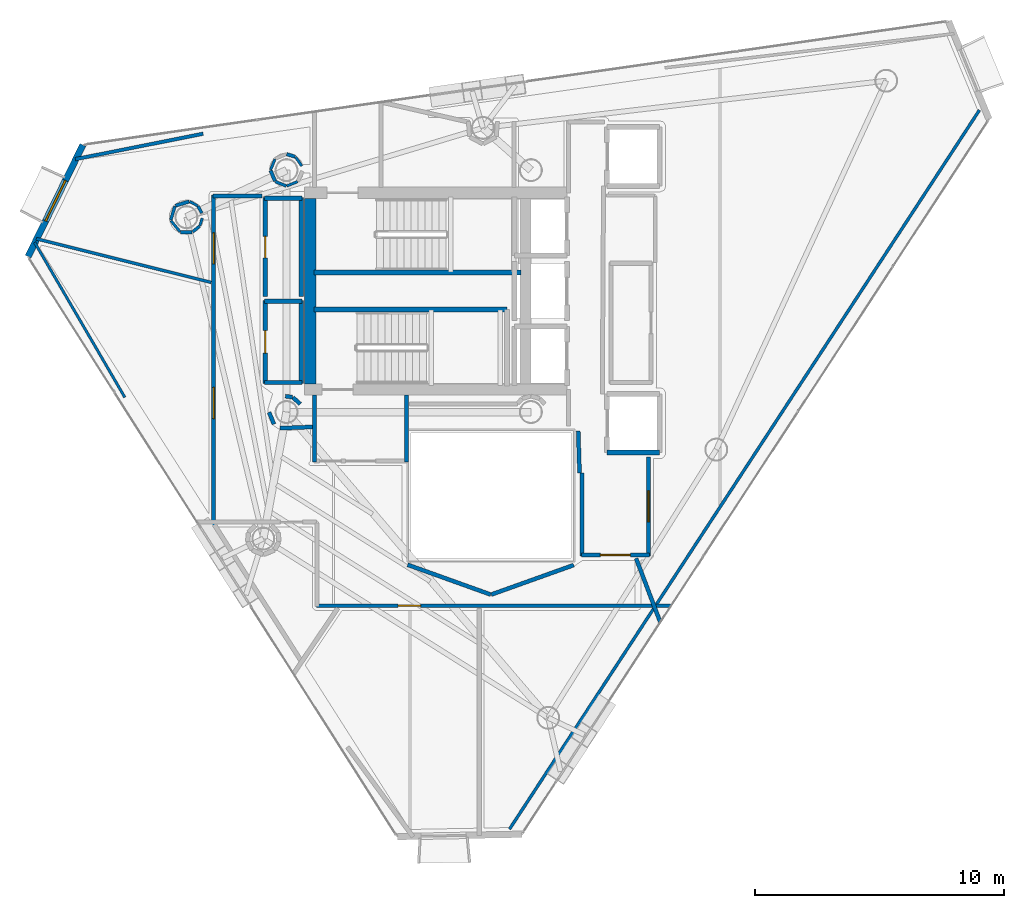
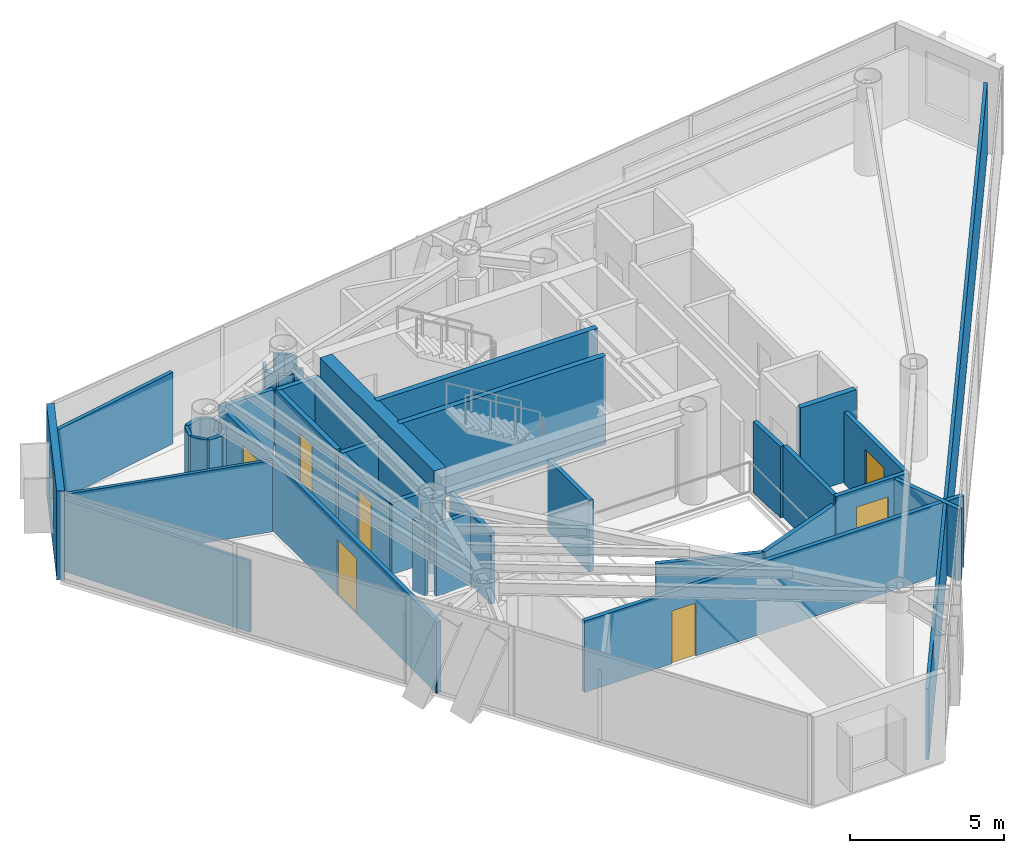
# One storey, part 20 of 25: 46 walls, 7 doors, 1 window, 8 openings.
"""IFC4 building model written with IfcOpenShell, lengths in metres."""

from ifc_helpers import new_model, si_unit, direction, frame, frame_2d, origin, place, context, subcontext, project, spatial, rectangle, extrude, material, layer, layer_set, type_object, element, fill, save


model = new_model("IFC4")

# Units and contexts
model_context = context("Model", 3, precision=1e-05, world=origin(), true_north=direction((0.0, 1.0)))
body_context = subcontext(model_context, "Body", "Model", "MODEL_VIEW")
ifc_project = project(units=[si_unit("LENGTHUNIT", "METRE"), si_unit("AREAUNIT", "SQUARE_METRE"), si_unit("VOLUMEUNIT", "CUBIC_METRE"), si_unit("PLANEANGLEUNIT", "RADIAN"), si_unit("MASSUNIT", "GRAM", prefix="KILO")], contexts=[model_context])

# Site, building, storey
site_placement = place(None, origin())
site = spatial("IfcSite", under=ifc_project, at=site_placement, CompositionType="ELEMENT")
building_placement = place(site_placement, origin())
building = spatial("IfcBuilding", under=site, at=building_placement, Name="Qianvela Tower", CompositionType="ELEMENT")
storey_placement = place(building_placement, frame((0.0, 0.0, 291.699951171875)))
storey = spatial("IfcBuildingStorey", under=building, at=storey_placement, Name="L75", CompositionType="ELEMENT", Elevation=291.699951171875)

# Wall, opening, window
ifc_material_1 = material(Name="Terracotta Cladding on Concrete C40", Category="masonry")
ifc_layer_1 = layer(ifc_material_1, 0.260009765625)
ifc_layer_set_1 = layer_set([ifc_layer_1], Name="Terracotta Cladding on Concrete C40")
wall_type_1 = type_object("IfcWallType", Name="TERRACOTTA-WALL-260", PredefinedType="SOLIDWALL", material=ifc_layer_set_1)
wall_1_placement = place(storey_placement, frame((20.436279296875, 34.563232421875, 0.0), z_axis=(0.0, 0.0, 1.0), x_axis=(-0.440488239438, -0.897758381145, 0.0)))
wall_1 = element("IfcWall", 1, at=wall_1_placement, inside=storey, type_object=wall_type_1, Name="L75 Terracotta Chamfer Facet Wall 3", PredefinedType="SOLIDWALL", context=body_context, shape_type="SweptSolid", body=[
    extrude(rectangle(XDim=4.989990234375, YDim=0.260009765625, at=frame_2d((2.4951171875, 0.0))), origin(), (0.0, 0.0, 1.0), 3.52001953125),
])
opening_1_placement = place(wall_1_placement, frame((1.594970703125, 0.0, 0.85009765625)))
opening_1 = element("IfcOpeningElement", 2, at=opening_1_placement, cuts=wall_1, Name="Opening W-01", PredefinedType="OPENING", context=body_context, shape_type="SweptSolid", body=[
    extrude(rectangle(XDim=1.800048828125, YDim=2.10009765625, at=frame_2d((0.89990234375, 1.050048828125))), frame((0.0, 0.139892578125, 0.0), z_axis=(0.0, -1.0, 0.0), x_axis=(1.0, 0.0, 0.0)), (0.0, 0.0, 1.0), 0.280029296875),
])
ifc_material_2 = material(Name="Thermally Broken Aluminium and Low-E Glass", Category="aluminium")
window_type = type_object("IfcWindowType", Name="WIN-TC-1800x2100", PartitioningType="DOUBLE_PANEL_VERTICAL", PredefinedType="WINDOW", material=ifc_material_2)
window_placement = place(opening_1_placement, origin())
window = element("IfcWindow", 3, at=window_placement, inside=storey, type_object=window_type, Name="L75 Chamfer Facet Window 3.1", OverallHeight=2.10009765625, OverallWidth=1.800048828125, PartitioningType="SINGLE_PANEL", PredefinedType="WINDOW", context=body_context, shape_type="SweptSolid", body=[
    extrude(rectangle(XDim=1.800048828125, YDim=2.10009765625, at=frame_2d((0.89990234375, 1.050048828125))), frame((0.0, 0.030029296875, 0.0), z_axis=(0.0, -1.0, 0.0), x_axis=(1.0, 0.0, 0.0)), (0.0, 0.0, 1.0), 0.06005859375),
])
fill(opening_1, window)

# Walls
ifc_material_3 = material(Name="Concrete C50", Category="concrete")
ifc_layer_2 = layer(ifc_material_3, 0.449951171875)
ifc_layer_set_2 = layer_set([ifc_layer_2], Name="Concrete C50")
wall_type_2 = type_object("IfcWallType", Name="WT-CORE-450", PredefinedType="SHEAR", material=ifc_layer_set_2)
wall_2_placement = place(storey_placement, frame((29.554931640625, 24.97998046875, 0.0), z_axis=(0.0, 0.0, 1.0), x_axis=(0.0, 1.0, 0.0)))
element("IfcWall", 4, at=wall_2_placement, inside=storey, type_object=wall_type_2, Name="L75 West Core Shear Wall", PredefinedType="SHEAR", context=body_context, shape_type="SweptSolid", body=[
    extrude(rectangle(XDim=7.43994140625, YDim=0.449951171875, at=frame_2d((3.719970703125, 0.0))), origin(), (0.0, 0.0, 1.0), 3.52001953125),
])
ifc_material_4 = material(Name="Fire-Rated Gypsum and Concrete Block", Category="concrete")
ifc_layer_3 = layer(ifc_material_4, 0.159912109375)
ifc_layer_set_3 = layer_set([ifc_layer_3], Name="Fire-Rated Gypsum and Concrete Block")
wall_type_3 = type_object("IfcWallType", Name="WT-CORR-160", PredefinedType="PARTITIONING", material=ifc_layer_set_3)
for number, where, z_axis, x_axis, name in (
    (5, (29.73095703125, 21.85009765625, 0.0), (0.0, 0.0, 1.0), (0.0, 1.0, 0.0), "L75 Partition 6"),
    (6, (33.4189453125, 24.5419921875, 0.0), (0.0, 0.0, 1.0), (0.0, -1.0, 0.0), "L75 Partition 8"),
):
    element("IfcWall", number, at=place(storey_placement, frame(where, z_axis=z_axis, x_axis=x_axis)), inside=storey, type_object=wall_type_3, Name=name, PredefinedType="PARTITIONING", context=body_context, shape_type="SweptSolid", body=[
        extrude(rectangle(XDim=2.69189453125, YDim=0.159912109375, at=frame_2d((1.345947265625, 0.0))), origin(), (0.0, 0.0, 1.0), 2.840087890625),
    ])
wall_3_placement = place(storey_placement, frame((40.35107421875, 21.40087890625, 0.0), z_axis=(0.0, 0.0, 1.0), x_axis=(-0.031058045979, 0.999517582527, 0.0)))
element("IfcWall", 7, at=wall_3_placement, inside=storey, type_object=wall_type_3, Name="L75 Partition 9", PredefinedType="PARTITIONING", context=body_context, shape_type="SweptSolid", body=[
    extrude(rectangle(XDim=1.68212890625, YDim=0.159912109375, at=frame_2d((0.841064453125, 0.0))), origin(), (0.0, 0.0, 1.0), 2.840087890625),
])

# Wall, opening, door
wall_4_placement = place(storey_placement, frame((43.118896484375, 22.050048828125, 0.0), z_axis=(0.0, 0.0, 1.0), x_axis=(0.0, -1.0, 0.0)))
wall_4 = element("IfcWall", 8, at=wall_4_placement, inside=storey, type_object=wall_type_3, Name="L75 Partition 16", PredefinedType="PARTITIONING", context=body_context, shape_type="SweptSolid", body=[
    extrude(rectangle(XDim=3.969970703125, YDim=0.159912109375, at=frame_2d((1.98486328125, 0.0))), origin(), (0.0, 0.0, 1.0), 2.840087890625),
])
opening_2_placement = place(wall_4_placement, frame((1.360107421875, 0.0, 0.0)))
opening_2 = element("IfcOpeningElement", 9, at=opening_2_placement, cuts=wall_4, Name="Opening D-LG1", PredefinedType="OPENING", context=body_context, shape_type="SweptSolid", body=[
    extrude(rectangle(XDim=1.25, YDim=2.199951171875, at=frame_2d((0.625, 1.10009765625))), frame((0.0, 0.08984375, 0.0), z_axis=(0.0, -1.0, 0.0), x_axis=(1.0, 0.0, 0.0)), (0.0, 0.0, 1.0), 0.179931640625),
])
ifc_material_5 = material(Name="Anodised Aluminium Acoustic Glass Door", Category="aluminium")
door_type_1 = type_object("IfcDoorType", Name="DT-LOUNGE-1250", OperationType="NOTDEFINED", PredefinedType="DOOR", material=ifc_material_5)
door_1_placement = place(opening_2_placement, origin())
door_1 = element("IfcDoor", 10, at=door_1_placement, inside=storey, type_object=door_type_1, Name="L75 Door Campus Convenience Shop L75-03 to L75 Lift Lobby", OperationType="SINGLE_SWING_LEFT", OverallHeight=2.199951171875, OverallWidth=1.25, PredefinedType="DOOR", context=body_context, shape_type="SweptSolid", body=[
    extrude(rectangle(XDim=1.25, YDim=2.199951171875, at=frame_2d((0.625, 1.10009765625))), frame((0.0, 0.02490234375, 0.0), z_axis=(0.0, -1.0, 0.0), x_axis=(1.0, 0.0, 0.0)), (0.0, 0.0, 1.0), 0.050048828125),
])
fill(opening_2, door_1)

wall_5_placement = place(storey_placement, frame((43.14990234375, 18.111083984375, 0.0), z_axis=(0.0, 0.0, 1.0), x_axis=(-1.0, 0.0, 0.0)))
wall_5 = element("IfcWall", 11, at=wall_5_placement, inside=storey, type_object=wall_type_3, Name="L75 Partition 17", PredefinedType="PARTITIONING", context=body_context, shape_type="SweptSolid", body=[
    extrude(rectangle(XDim=2.72998046875, YDim=0.159912109375, at=frame_2d((1.364990234375, 0.0))), origin(), (0.0, 0.0, 1.0), 2.840087890625),
])
opening_3_placement = place(wall_5_placement, frame((0.764892578125, 0.0, 0.0)))
opening_3 = element("IfcOpeningElement", 12, at=opening_3_placement, cuts=wall_5, Name="Opening D-LB1", PredefinedType="OPENING", context=body_context, shape_type="SweptSolid", body=[
    extrude(rectangle(XDim=1.199951171875, YDim=2.14990234375, at=frame_2d((0.60009765625, 1.074951171875))), frame((0.0, 0.08984375, 0.0), z_axis=(0.0, -1.0, 0.0), x_axis=(1.0, 0.0, 0.0)), (0.0, 0.0, 1.0), 0.179931640625),
])
ifc_material_6 = material(Name="Glazed Fire-Rated Steel Frame", Category="steel")
door_type_2 = type_object("IfcDoorType", Name="DT-LOBBY-FD90", OperationType="NOTDEFINED", PredefinedType="DOOR", material=ifc_material_6)
door_2_placement = place(opening_3_placement, origin())
door_2 = element("IfcDoor", 13, at=door_2_placement, inside=storey, type_object=door_type_2, Name="L75 Door L75 Lift Lobby to L75 Floor Corridor", OperationType="SINGLE_SWING_LEFT", OverallHeight=2.14990234375, OverallWidth=1.199951171875, PredefinedType="DOOR", context=body_context, shape_type="SweptSolid", body=[
    extrude(rectangle(XDim=1.199951171875, YDim=2.14990234375, at=frame_2d((0.60009765625, 1.074951171875))), frame((0.0, 0.02490234375, 0.0), z_axis=(0.0, -1.0, 0.0), x_axis=(1.0, 0.0, 0.0)), (0.0, 0.0, 1.0), 0.050048828125),
])
fill(opening_3, door_2)

# Walls
wall_6_placement = place(storey_placement, frame((40.450927734375, 18.080078125, 0.0), z_axis=(0.0, 0.0, 1.0), x_axis=(0.0, 1.0, 0.0)))
element("IfcWall", 14, at=wall_6_placement, inside=storey, type_object=wall_type_3, Name="L75 Partition 18 seg 1", PredefinedType="PARTITIONING", context=body_context, shape_type="SweptSolid", body=[
    extrude(rectangle(XDim=3.31982421875, YDim=0.159912109375, at=frame_2d((1.659912109375, 0.0))), origin(), (0.0, 0.0, 1.0), 2.840087890625),
])
wall_7_placement = place(storey_placement, frame((29.148681640625, 24.173095703125, 0.0), z_axis=(0.0, 0.0, 1.0), x_axis=(-0.745225165416, 0.666812906917, 0.0)))
element("IfcWall", 15, at=wall_7_placement, inside=storey, type_object=wall_type_3, Name="L75 Partition 47", PredefinedType="PARTITIONING", context=body_context, shape_type="SweptSolid", body=[
    extrude(rectangle(XDim=0.3955078125, YDim=0.159912109375, at=frame_2d((0.19775390625, 0.0))), origin(), (0.0, 0.0, 1.0), 2.840087890625),
])
wall_8_placement = place(storey_placement, frame((28.837890625, 24.444091796875, 0.0), z_axis=(0.0, 0.0, 1.0), x_axis=(-0.989449148305, 0.144880581578, 0.0)))
element("IfcWall", 16, at=wall_8_placement, inside=storey, type_object=wall_type_3, Name="L75 Partition 48", PredefinedType="PARTITIONING", context=body_context, shape_type="SweptSolid", body=[
    extrude(rectangle(XDim=0.286376953125, YDim=0.159912109375, at=frame_2d((0.14306640625, 0.0))), origin(), (0.0, 0.0, 1.0), 2.840087890625),
])
wall_9_placement = place(storey_placement, frame((27.9013671875, 23.838134765625, 0.0), z_axis=(0.0, 0.0, 1.0), x_axis=(0.382856448334, -0.923807847969, 0.0)))
element("IfcWall", 17, at=wall_9_placement, inside=storey, type_object=wall_type_3, Name="L75 Partition 58", PredefinedType="PARTITIONING", context=body_context, shape_type="SweptSolid", body=[
    extrude(rectangle(XDim=0.5126953125, YDim=0.159912109375, at=frame_2d((0.25634765625, 0.0))), origin(), (0.0, 0.0, 1.0), 2.840087890625),
])
wall_10_placement = place(storey_placement, frame((28.3447265625, 23.199951171875, 0.0), z_axis=(0.0, 0.0, 1.0), x_axis=(0.999216536924, 0.039576664043, 0.0)))
element("IfcWall", 18, at=wall_10_placement, inside=storey, type_object=wall_type_3, Name="L75 Partition 59", PredefinedType="PARTITIONING", context=body_context, shape_type="SweptSolid", body=[
    extrude(rectangle(XDim=1.29541015625, YDim=0.159912109375, at=frame_2d((0.647705078125, 0.0))), origin(), (0.0, 0.0, 1.0), 2.840087890625),
])
wall_11_placement = place(storey_placement, frame((33.45751953125, 17.723876953125, 0.0), z_axis=(0.0, 0.0, 1.0), x_axis=(0.94128854789, -0.337603124408, 0.0)))
element("IfcWall", 19, at=wall_11_placement, inside=storey, type_object=wall_type_3, Name="L75 Partition 62", PredefinedType="PARTITIONING", context=body_context, shape_type="SweptSolid", body=[
    extrude(rectangle(XDim=3.539794921875, YDim=0.159912109375, at=frame_2d((1.77001953125, 0.0))), origin(), (0.0, 0.0, 1.0), 2.840087890625),
])
wall_12_placement = place(storey_placement, frame((36.810302734375, 16.52880859375, 0.0), z_axis=(0.0, 0.0, 1.0), x_axis=(0.941548344365, 0.33687789364, 0.0)))
element("IfcWall", 20, at=wall_12_placement, inside=storey, type_object=wall_type_3, Name="L75 Partition 63", PredefinedType="PARTITIONING", context=body_context, shape_type="SweptSolid", body=[
    extrude(rectangle(XDim=3.5126953125, YDim=0.159912109375, at=frame_2d((1.75634765625, 0.0))), origin(), (0.0, 0.0, 1.0), 2.840087890625),
])
wall_13_placement = place(storey_placement, frame((42.618896484375, 17.97998046875, 0.0), z_axis=(0.0, 0.0, 1.0), x_axis=(0.354310790583, -0.935127725862, 0.0)))
element("IfcWall", 21, at=wall_13_placement, inside=storey, type_object=wall_type_3, Name="L75 Partition 65", PredefinedType="PARTITIONING", context=body_context, shape_type="SweptSolid", body=[
    extrude(rectangle(XDim=2.7431640625, YDim=0.159912109375, at=frame_2d((1.37158203125, 0.0))), origin(), (0.0, 0.0, 1.0), 2.840087890625),
])

# Wall, opening, door
wall_14_placement = place(storey_placement, frame((44.04638671875, 16.0810546875, 0.0), z_axis=(0.0, 0.0, 1.0), x_axis=(-1.0, 0.0, 0.0)))
wall_14 = element("IfcWall", 22, at=wall_14_placement, inside=storey, type_object=wall_type_3, Name="L75 Partition 66", PredefinedType="PARTITIONING", context=body_context, shape_type="SweptSolid", body=[
    extrude(rectangle(XDim=14.246337890625, YDim=0.159912109375, at=frame_2d((7.123046875, 0.0))), origin(), (0.0, 0.0, 1.0), 2.840087890625),
])
opening_4_placement = place(wall_14_placement, frame((10.068603515625, 0.0, 0.0)))
opening_4 = element("IfcOpeningElement", 23, at=opening_4_placement, cuts=wall_14, Name="Opening D-KT1", PredefinedType="OPENING", context=body_context, shape_type="SweptSolid", body=[
    extrude(rectangle(XDim=0.89990234375, YDim=2.10009765625, at=frame_2d((0.449951171875, 1.050048828125))), frame((0.0, 0.08984375, 0.0), z_axis=(0.0, -1.0, 0.0), x_axis=(1.0, 0.0, 0.0)), (0.0, 0.0, 1.0), 0.179931640625),
])
ifc_material_7 = material(Name="Glazed Timber Kitchen Door", Category="wood")
door_type_3 = type_object("IfcDoorType", Name="DT-KITCH-900", OperationType="NOTDEFINED", PredefinedType="DOOR", material=ifc_material_7)
door_3_placement = place(opening_4_placement, origin())
door_3 = element("IfcDoor", 24, at=door_3_placement, inside=storey, type_object=door_type_3, Name="L75 Door Student Tea Pantry L75-02 to L75 Floor Corridor", OperationType="SINGLE_SWING_RIGHT", OverallHeight=2.10009765625, OverallWidth=0.89990234375, PredefinedType="DOOR", context=body_context, shape_type="SweptSolid", body=[
    extrude(rectangle(XDim=0.89990234375, YDim=2.10009765625, at=frame_2d((0.449951171875, 1.050048828125))), frame((0.0, 0.02490234375, 0.0), z_axis=(0.0, -1.0, 0.0), x_axis=(1.0, 0.0, 0.0)), (0.0, 0.0, 1.0), 0.050048828125),
])
fill(opening_4, door_3)

# Wall, openings, doors
wall_15_placement = place(storey_placement, frame((25.680908203125, 18.37158203125, 0.0), z_axis=(0.0, 0.0, 1.0), x_axis=(0.0, 1.0, 0.0)))
wall_15 = element("IfcWall", 25, at=wall_15_placement, inside=storey, type_object=wall_type_3, Name="L75 Partition 69", PredefinedType="PARTITIONING", context=body_context, shape_type="SweptSolid", body=[
    extrude(rectangle(XDim=14.178466796875, YDim=0.159912109375, at=frame_2d((7.08935546875, 0.0))), origin(), (0.0, 0.0, 1.0), 2.840087890625),
])
opening_5_placement = place(wall_15_placement, frame((11.41650390625, 0.0, 0.0)))
opening_5 = element("IfcOpeningElement", 26, at=opening_5_placement, cuts=wall_15, Name="Opening D-LG1", PredefinedType="OPENING", context=body_context, shape_type="SweptSolid", body=[
    extrude(rectangle(XDim=1.25, YDim=2.199951171875, at=frame_2d((0.625, 1.10009765625))), frame((0.0, 0.08984375, 0.0), z_axis=(0.0, -1.0, 0.0), x_axis=(1.0, 0.0, 0.0)), (0.0, 0.0, 1.0), 0.179931640625),
])
opening_6_placement = place(wall_15_placement, frame((5.215087890625, 0.0, 0.0)))
opening_6 = element("IfcOpeningElement", 27, at=opening_6_placement, cuts=wall_15, Name="Opening D-LG1", PredefinedType="OPENING", context=body_context, shape_type="SweptSolid", body=[
    extrude(rectangle(XDim=1.25, YDim=2.199951171875, at=frame_2d((0.625, 1.10009765625))), frame((0.0, 0.08984375, 0.0), z_axis=(0.0, -1.0, 0.0), x_axis=(1.0, 0.0, 0.0)), (0.0, 0.0, 1.0), 0.179931640625),
])
door_4_placement = place(opening_5_placement, origin())
door_4 = element("IfcDoor", 28, at=door_4_placement, inside=storey, type_object=door_type_1, Name="L75 Door Student Bookshop Market L75-04 to L75 Floor Corridor", OperationType="SINGLE_SWING_RIGHT", OverallHeight=2.199951171875, OverallWidth=1.25, PredefinedType="DOOR", context=body_context, shape_type="SweptSolid", body=[
    extrude(rectangle(XDim=1.25, YDim=2.199951171875, at=frame_2d((0.625, 1.10009765625))), frame((0.0, 0.02490234375, 0.0), z_axis=(0.0, -1.0, 0.0), x_axis=(1.0, 0.0, 0.0)), (0.0, 0.0, 1.0), 0.050048828125),
])
fill(opening_5, door_4)
door_5_placement = place(opening_6_placement, origin())
door_5 = element("IfcDoor", 29, at=door_5_placement, inside=storey, type_object=door_type_1, Name="L75 Door Student Wellness Lounge L75-05 to L75 Floor Corridor", OperationType="SINGLE_SWING_LEFT", OverallHeight=2.199951171875, OverallWidth=1.25, PredefinedType="DOOR", context=body_context, shape_type="SweptSolid", body=[
    extrude(rectangle(XDim=1.25, YDim=2.199951171875, at=frame_2d((0.625, 1.10009765625))), frame((0.0, 0.02490234375, 0.0), z_axis=(0.0, -1.0, 0.0), x_axis=(1.0, 0.0, 0.0)), (0.0, 0.0, 1.0), 0.050048828125),
])
fill(opening_6, door_5)

# Walls
wall_16_placement = place(storey_placement, frame((25.64990234375, 32.51904296875, 0.0), z_axis=(0.0, 0.0, 1.0), x_axis=(1.0, 0.0, 0.0)))
element("IfcWall", 30, at=wall_16_placement, inside=storey, type_object=wall_type_3, Name="L75 Partition 70", PredefinedType="PARTITIONING", context=body_context, shape_type="SweptSolid", body=[
    extrude(rectangle(XDim=1.97021484375, YDim=0.159912109375, at=frame_2d((0.985107421875, 0.0))), origin(), (0.0, 0.0, 1.0), 2.840087890625),
])
ifc_material_8 = material(Name="Lightweight Gypsum Room Partition")
ifc_layer_4 = layer(ifc_material_8, 0.10498046875)
ifc_layer_set_4 = layer_set([ifc_layer_4], Name="Lightweight Gypsum Room Partition")
wall_type_4 = type_object("IfcWallType", Name="WT-PART-105", PredefinedType="PARTITIONING", material=ifc_layer_set_4)
wall_17_placement = place(storey_placement, frame((25.032958984375, 32.12158203125, 0.0), z_axis=(0.0, 0.0, 1.0), x_axis=(-0.881817981942, 0.471589913721, 0.0)))
element("IfcWall", 31, at=wall_17_placement, inside=storey, type_object=wall_type_4, Name="L75 Partition 119", PredefinedType="PARTITIONING", context=body_context, shape_type="SweptSolid", body=[
    extrude(rectangle(XDim=0.35400390625, YDim=0.10498046875, at=frame_2d((0.177001953125, 0.0))), origin(), (0.0, 0.0, 1.0), 2.840087890625),
])
wall_18_placement = place(storey_placement, frame((23.96484375, 31.5244140625, 0.0), z_axis=(0.0, 0.0, 1.0), x_axis=(0.634277575631, -0.77310539841, 0.0)))
element("IfcWall", 32, at=wall_18_placement, inside=storey, type_object=wall_type_4, Name="L75 Partition 122", PredefinedType="PARTITIONING", context=body_context, shape_type="SweptSolid", body=[
    extrude(rectangle(XDim=0.574951171875, YDim=0.10498046875, at=frame_2d((0.28759765625, 0.0))), origin(), (0.0, 0.0, 1.0), 2.840087890625),
])
wall_19_placement = place(storey_placement, frame((25.123779296875, 31.314697265625, 0.0), z_axis=(0.0, 0.0, 1.0), x_axis=(0.306761714687, 0.951786347035, 0.0)))
element("IfcWall", 33, at=wall_19_placement, inside=storey, type_object=wall_type_4, Name="L75 Partition 125", PredefinedType="PARTITIONING", context=body_context, shape_type="SweptSolid", body=[
    extrude(rectangle(XDim=0.325439453125, YDim=0.10498046875, at=frame_2d((0.16259765625, 0.0))), origin(), (0.0, 0.0, 1.0), 2.840087890625),
])
wall_20_placement = place(storey_placement, frame((29.214111328125, 33.71875, 0.0), z_axis=(0.0, 0.0, 1.0), x_axis=(-0.57410245878, 0.818783467605, 0.0)))
element("IfcWall", 34, at=wall_20_placement, inside=storey, type_object=wall_type_4, Name="L75 Partition 131", PredefinedType="PARTITIONING", context=body_context, shape_type="SweptSolid", body=[
    extrude(rectangle(XDim=0.43505859375, YDim=0.10498046875, at=frame_2d((0.217529296875, 0.0))), origin(), (0.0, 0.0, 1.0), 2.840087890625),
])
wall_21_placement = place(storey_placement, frame((28.139892578125, 33.9931640625, 0.0), z_axis=(0.0, 0.0, 1.0), x_axis=(-0.382459617246, -0.923972208011, 0.0)))
element("IfcWall", 35, at=wall_21_placement, inside=storey, type_object=wall_type_4, Name="L75 Partition 134", PredefinedType="PARTITIONING", context=body_context, shape_type="SweptSolid", body=[
    extrude(rectangle(XDim=0.466552734375, YDim=0.10498046875, at=frame_2d((0.2333984375, 0.0))), origin(), (0.0, 0.0, 1.0), 2.840087890625),
])
wall_22_placement = place(storey_placement, frame((28.61181640625, 32.911376953125, 0.0), z_axis=(0.0, 0.0, 1.0), x_axis=(0.923863886655, 0.382721202621, 0.0)))
element("IfcWall", 36, at=wall_22_placement, inside=storey, type_object=wall_type_4, Name="L75 Partition 137", PredefinedType="PARTITIONING", context=body_context, shape_type="SweptSolid", body=[
    extrude(rectangle(XDim=0.467041015625, YDim=0.10498046875, at=frame_2d((0.2333984375, 0.0))), origin(), (0.0, 0.0, 1.0), 2.840087890625),
])
wall_23_placement = place(storey_placement, frame((22.1171875, 24.43701171875, 0.0), z_axis=(0.0, 0.0, 1.0), x_axis=(-0.503024513094, 0.864272144192, 0.0)))
element("IfcWall", 37, at=wall_23_placement, inside=storey, type_object=wall_type_4, Name="L75 Partition 140 seg 1", PredefinedType="PARTITIONING", context=body_context, shape_type="SweptSolid", body=[
    extrude(rectangle(XDim=7.19287109375, YDim=0.10498046875, at=frame_2d((3.596435546875, 0.0))), origin(), (0.0, 0.0, 1.0), 2.840087890625),
])
ifc_material_9 = material(Name="Insulated Gypsum Stud Partition")
ifc_layer_5 = layer(ifc_material_9, 0.1201171875)
ifc_layer_set_5 = layer_set([ifc_layer_5], Name="Insulated Gypsum Stud Partition")
wall_type_5 = type_object("IfcWallType", Name="WT-PART-120", PredefinedType="PARTITIONING", material=ifc_layer_set_5)
wall_24_placement = place(storey_placement, frame((56.38671875, 35.954833984375, 0.0), z_axis=(0.0, 0.0, 1.0), x_axis=(-0.547085490545, -0.837076738439, 0.0)))
element("IfcWall", 38, at=wall_24_placement, inside=storey, type_object=wall_type_5, Name="L75 Partition 112", PredefinedType="PARTITIONING", context=body_context, shape_type="SweptSolid", body=[
    extrude(rectangle(XDim=34.442626953125, YDim=0.1201171875, at=frame_2d((17.22119140625, 0.0))), origin(), (0.0, 0.0, 1.0), 2.840087890625),
])
wall_25_placement = place(storey_placement, frame((25.20263671875, 31.8291015625, 0.0), z_axis=(0.0, 0.0, 1.0), x_axis=(-0.488926990846, 0.872324708823, 0.0)))
element("IfcWall", 39, at=wall_25_placement, inside=storey, type_object=wall_type_5, Name="L75 Partition 118", PredefinedType="PARTITIONING", context=body_context, shape_type="SweptSolid", body=[
    extrude(rectangle(XDim=0.321533203125, YDim=0.1201171875, at=frame_2d((0.16064453125, 0.0))), origin(), (0.0, 0.0, 1.0), 2.840087890625),
])
wall_26_placement = place(storey_placement, frame((24.1259765625, 32.103271484375, 0.0), z_axis=(0.0, 0.0, 1.0), x_axis=(-0.290384423064, -0.956910072495, 0.0)))
element("IfcWall", 40, at=wall_26_placement, inside=storey, type_object=wall_type_5, Name="L75 Partition 121", PredefinedType="PARTITIONING", context=body_context, shape_type="SweptSolid", body=[
    extrude(rectangle(XDim=0.574951171875, YDim=0.1201171875, at=frame_2d((0.28759765625, 0.0))), origin(), (0.0, 0.0, 1.0), 2.840087890625),
])
wall_27_placement = place(storey_placement, frame((24.840087890625, 31.075439453125, 0.0), z_axis=(0.0, 0.0, 1.0), x_axis=(0.773281307259, 0.634063103992, 0.0)))
element("IfcWall", 41, at=wall_27_placement, inside=storey, type_object=wall_type_5, Name="L75 Partition 124", PredefinedType="PARTITIONING", context=body_context, shape_type="SweptSolid", body=[
    extrude(rectangle(XDim=0.354248046875, YDim=0.1201171875, at=frame_2d((0.17724609375, 0.0))), origin(), (0.0, 0.0, 1.0), 2.840087890625),
])
wall_28_placement = place(storey_placement, frame((25.577392578125, 29.0478515625, 0.0), z_axis=(0.0, 0.0, 1.0), x_axis=(-0.970297325038, 0.241915483226, 0.0)))
element("IfcWall", 42, at=wall_28_placement, inside=storey, type_object=wall_type_5, Name="L75 Partition 127", PredefinedType="PARTITIONING", context=body_context, shape_type="SweptSolid", body=[
    extrude(rectangle(XDim=7.225830078125, YDim=0.1201171875, at=frame_2d((3.61279296875, 0.0))), origin(), (0.0, 0.0, 1.0), 2.840087890625),
])
wall_29_placement = place(storey_placement, frame((28.15673828125, 33.090087890625, 0.0), z_axis=(0.0, 0.0, 1.0), x_axis=(0.923863886655, -0.382721202621, 0.0)))
element("IfcWall", 43, at=wall_29_placement, inside=storey, type_object=wall_type_5, Name="L75 Partition 136", PredefinedType="PARTITIONING", context=body_context, shape_type="SweptSolid", body=[
    extrude(rectangle(XDim=0.467041015625, YDim=0.1201171875, at=frame_2d((0.2333984375, 0.0))), origin(), (0.0, 0.0, 1.0), 2.840087890625),
])

# Wall, opening, door
ifc_material_10 = material(Name="Moisture-Resistant Acoustic Plumbing Wall")
ifc_layer_6 = layer(ifc_material_10, 0.175048828125)
ifc_layer_set_6 = layer_set([ifc_layer_6], Name="Moisture-Resistant Acoustic Plumbing Wall")
wall_type_6 = type_object("IfcWallType", Name="WT-PLUMB-175", PredefinedType="PLUMBINGWALL", material=ifc_layer_set_6)
wall_30_placement = place(storey_placement, frame((27.7509765625, 25.0, 0.0), z_axis=(0.0, 0.0, 1.0), x_axis=(0.0, 1.0, 0.0)))
wall_30 = element("IfcWall", 44, at=wall_30_placement, inside=storey, type_object=wall_type_6, Name="L75 Partition 23", PredefinedType="PLUMBINGWALL", context=body_context, shape_type="SweptSolid", body=[
    extrude(rectangle(XDim=3.320068359375, YDim=0.175048828125, at=frame_2d((1.66015625, 0.0))), origin(), (0.0, 0.0, 1.0), 2.840087890625),
])
opening_7_placement = place(wall_30_placement, frame((1.2099609375, 0.0, 0.0)))
opening_7 = element("IfcOpeningElement", 45, at=opening_7_placement, cuts=wall_30, Name="Opening D-KT1", PredefinedType="OPENING", context=body_context, shape_type="SweptSolid", body=[
    extrude(rectangle(XDim=0.89990234375, YDim=2.10009765625, at=frame_2d((0.449951171875, 1.050048828125))), frame((0.0, 0.097412109375, 0.0), z_axis=(0.0, -1.0, 0.0), x_axis=(1.0, 0.0, 0.0)), (0.0, 0.0, 1.0), 0.195068359375),
])
door_6_placement = place(opening_7_placement, origin())
door_6 = element("IfcDoor", 46, at=door_6_placement, inside=storey, type_object=door_type_3, Name="L75 Door L75 Core Tea Pantry West to L75 Floor Corridor", OperationType="SINGLE_SWING_RIGHT", OverallHeight=2.10009765625, OverallWidth=0.89990234375, PredefinedType="DOOR", context=body_context, shape_type="SweptSolid", body=[
    extrude(rectangle(XDim=0.89990234375, YDim=2.10009765625, at=frame_2d((0.449951171875, 1.050048828125))), frame((0.0, 0.02490234375, 0.0), z_axis=(0.0, -1.0, 0.0), x_axis=(1.0, 0.0, 0.0)), (0.0, 0.0, 1.0), 0.050048828125),
])
fill(opening_7, door_6)

# Walls
wall_31_placement = place(storey_placement, frame((27.719970703125, 28.2890625, 0.0), z_axis=(0.0, 0.0, 1.0), x_axis=(1.0, 0.0, 0.0)))
element("IfcWall", 47, at=wall_31_placement, inside=storey, type_object=wall_type_6, Name="L75 Partition 24", PredefinedType="PLUMBINGWALL", context=body_context, shape_type="SweptSolid", body=[
    extrude(rectangle(XDim=1.5, YDim=0.175048828125, at=frame_2d((0.75, 0.0))), origin(), (0.0, 0.0, 1.0), 2.840087890625),
])
wall_32_placement = place(storey_placement, frame((29.18896484375, 28.320068359375, 0.0), z_axis=(0.0, 0.0, 1.0), x_axis=(0.0, -1.0, 0.0)))
element("IfcWall", 48, at=wall_32_placement, inside=storey, type_object=wall_type_6, Name="L75 Partition 25", PredefinedType="PLUMBINGWALL", context=body_context, shape_type="SweptSolid", body=[
    extrude(rectangle(XDim=3.320068359375, YDim=0.175048828125, at=frame_2d((1.66015625, 0.0))), origin(), (0.0, 0.0, 1.0), 2.840087890625),
])
wall_33_placement = place(storey_placement, frame((29.219970703125, 25.031005859375, 0.0), z_axis=(0.0, 0.0, 1.0), x_axis=(-1.0, 0.0, 0.0)))
element("IfcWall", 49, at=wall_33_placement, inside=storey, type_object=wall_type_6, Name="L75 Partition 26", PredefinedType="PLUMBINGWALL", context=body_context, shape_type="SweptSolid", body=[
    extrude(rectangle(XDim=1.5, YDim=0.175048828125, at=frame_2d((0.75, 0.0))), origin(), (0.0, 0.0, 1.0), 2.840087890625),
])

# Wall, opening, door
wall_34_placement = place(storey_placement, frame((27.7509765625, 28.47998046875, 0.0), z_axis=(0.0, 0.0, 1.0), x_axis=(0.0, 1.0, 0.0)))
wall_34 = element("IfcWall", 50, at=wall_34_placement, inside=storey, type_object=wall_type_6, Name="L75 Partition 27", PredefinedType="PLUMBINGWALL", context=body_context, shape_type="SweptSolid", body=[
    extrude(rectangle(XDim=3.969970703125, YDim=0.175048828125, at=frame_2d((1.98486328125, 0.0))), origin(), (0.0, 0.0, 1.0), 2.840087890625),
])
opening_8_placement = place(wall_34_placement, frame((1.554931640625, 0.0, 0.0)))
opening_8 = element("IfcOpeningElement", 51, at=opening_8_placement, cuts=wall_34, Name="Opening D-WC1", PredefinedType="OPENING", context=body_context, shape_type="SweptSolid", body=[
    extrude(rectangle(XDim=0.860107421875, YDim=2.050048828125, at=frame_2d((0.43017578125, 1.02490234375))), frame((0.0, 0.097412109375, 0.0), z_axis=(0.0, -1.0, 0.0), x_axis=(1.0, 0.0, 0.0)), (0.0, 0.0, 1.0), 0.195068359375),
])
ifc_material_11 = material(Name="Moisture-Sealed Acoustic Timber Door", Category="wood")
door_type_4 = type_object("IfcDoorType", Name="DT-WC-860", OperationType="NOTDEFINED", PredefinedType="DOOR", material=ifc_material_11)
door_7_placement = place(opening_8_placement, origin())
door_7 = element("IfcDoor", 52, at=door_7_placement, inside=storey, type_object=door_type_4, Name="L75 Door L75 Accessible WC to L75 Floor Corridor", OperationType="SINGLE_SWING_LEFT", OverallHeight=2.050048828125, OverallWidth=0.860107421875, PredefinedType="DOOR", context=body_context, shape_type="SweptSolid", body=[
    extrude(rectangle(XDim=0.860107421875, YDim=2.050048828125, at=frame_2d((0.43017578125, 1.02490234375))), frame((0.0, 0.02490234375, 0.0), z_axis=(0.0, -1.0, 0.0), x_axis=(1.0, 0.0, 0.0)), (0.0, 0.0, 1.0), 0.050048828125),
])
fill(opening_8, door_7)

# Walls
wall_35_placement = place(storey_placement, frame((27.719970703125, 32.4189453125, 0.0), z_axis=(0.0, 0.0, 1.0), x_axis=(1.0, 0.0, 0.0)))
element("IfcWall", 53, at=wall_35_placement, inside=storey, type_object=wall_type_6, Name="L75 Partition 28", PredefinedType="PLUMBINGWALL", context=body_context, shape_type="SweptSolid", body=[
    extrude(rectangle(XDim=1.5, YDim=0.175048828125, at=frame_2d((0.75, 0.0))), origin(), (0.0, 0.0, 1.0), 2.840087890625),
])
wall_36_placement = place(storey_placement, frame((29.18896484375, 32.449951171875, 0.0), z_axis=(0.0, 0.0, 1.0), x_axis=(0.0, -1.0, 0.0)))
element("IfcWall", 54, at=wall_36_placement, inside=storey, type_object=wall_type_6, Name="L75 Partition 29", PredefinedType="PLUMBINGWALL", context=body_context, shape_type="SweptSolid", body=[
    extrude(rectangle(XDim=3.969970703125, YDim=0.175048828125, at=frame_2d((1.98486328125, 0.0))), origin(), (0.0, 0.0, 1.0), 2.840087890625),
])
ifc_material_12 = material(Name="Acoustic Double Gypsum Stud Partition")
ifc_layer_7 = layer(ifc_material_12, 0.139892578125)
ifc_layer_set_7 = layer_set([ifc_layer_7], Name="Acoustic Double Gypsum Stud Partition")
wall_type_7 = type_object("IfcWallType", Name="WT-ROOM-140", PredefinedType="PARTITIONING", material=ifc_layer_set_7)
wall_37_placement = place(storey_placement, frame((24.697021484375, 32.291015625, 0.0), z_axis=(0.0, 0.0, 1.0), x_axis=(-0.956910072495, -0.290384423064, 0.0)))
element("IfcWall", 55, at=wall_37_placement, inside=storey, type_object=wall_type_7, Name="L75 Partition 120", PredefinedType="PARTITIONING", context=body_context, shape_type="SweptSolid", body=[
    extrude(rectangle(XDim=0.574951171875, YDim=0.139892578125, at=frame_2d((0.28759765625, 0.0))), origin(), (0.0, 0.0, 1.0), 2.840087890625),
])
wall_38_placement = place(storey_placement, frame((24.353515625, 31.068359375, 0.0), z_axis=(0.0, 0.0, 1.0), x_axis=(1.0, 0.0, 0.0)))
element("IfcWall", 56, at=wall_38_placement, inside=storey, type_object=wall_type_7, Name="L75 Partition 123", PredefinedType="PARTITIONING", context=body_context, shape_type="SweptSolid", body=[
    extrude(rectangle(XDim=0.466796875, YDim=0.139892578125, at=frame_2d((0.2333984375, 0.0))), origin(), (0.0, 0.0, 1.0), 2.840087890625),
])
wall_39_placement = place(storey_placement, frame((20.13623046875, 33.989013671875, 0.0), z_axis=(0.0, 0.0, 1.0), x_axis=(0.980722527447, 0.195405537683, 0.0)))
element("IfcWall", 57, at=wall_39_placement, inside=storey, type_object=wall_type_7, Name="L75 Partition 129 seg 1", PredefinedType="PARTITIONING", context=body_context, shape_type="SweptSolid", body=[
    extrude(rectangle(XDim=5.219970703125, YDim=0.139892578125, at=frame_2d((2.60986328125, 0.0))), origin(), (0.0, 0.0, 1.0), 2.840087890625),
])
wall_40_placement = place(storey_placement, frame((28.947998046875, 34.0869140625, 0.0), z_axis=(0.0, 0.0, 1.0), x_axis=(-0.957007018611, 0.290064762301, 0.0)))
element("IfcWall", 58, at=wall_40_placement, inside=storey, type_object=wall_type_7, Name="L75 Partition 132", PredefinedType="PARTITIONING", context=body_context, shape_type="SweptSolid", body=[
    extrude(rectangle(XDim=0.354248046875, YDim=0.139892578125, at=frame_2d((0.17724609375, 0.0))), origin(), (0.0, 0.0, 1.0), 2.840087890625),
])
wall_41_placement = place(storey_placement, frame((27.96142578125, 33.5380859375, 0.0), z_axis=(0.0, 0.0, 1.0), x_axis=(0.382274809242, -0.924048683901, 0.0)))
element("IfcWall", 59, at=wall_41_placement, inside=storey, type_object=wall_type_7, Name="L75 Partition 135", PredefinedType="PARTITIONING", context=body_context, shape_type="SweptSolid", body=[
    extrude(rectangle(XDim=0.466796875, YDim=0.139892578125, at=frame_2d((0.2333984375, 0.0))), origin(), (0.0, 0.0, 1.0), 2.840087890625),
])
ifc_material_13 = material(Name="Concrete C50", Category="concrete")
ifc_layer_8 = layer(ifc_material_13, 0.199951171875)
ifc_layer_set_8 = layer_set([ifc_layer_8], Name="Concrete C50")
wall_type_8 = type_object("IfcWallType", Name="WT-SHAFT-200", PredefinedType="SOLIDWALL", material=ifc_layer_set_8)
wall_42_placement = place(storey_placement, frame((29.699951171875, 29.449951171875, 0.0), z_axis=(0.0, 0.0, 1.0), x_axis=(1.0, 0.0, 0.0)))
element("IfcWall", 60, at=wall_42_placement, inside=storey, type_object=wall_type_8, Name="L75 Stair ST-1 South Wall", PredefinedType="SOLIDWALL", context=body_context, shape_type="SweptSolid", body=[
    extrude(rectangle(XDim=8.300048828125, YDim=0.199951171875, at=frame_2d((4.14990234375, 0.0))), origin(), (0.0, 0.0, 1.0), 3.52001953125),
])
wall_43_placement = place(storey_placement, frame((29.699951171875, 27.9599609375, 0.0), z_axis=(0.0, 0.0, 1.0), x_axis=(1.0, 0.0, 0.0)))
element("IfcWall", 61, at=wall_43_placement, inside=storey, type_object=wall_type_8, Name="L75 Stair ST-2 North Wall", PredefinedType="SOLIDWALL", context=body_context, shape_type="SweptSolid", body=[
    extrude(rectangle(XDim=7.75, YDim=0.199951171875, at=frame_2d((3.875, 0.0))), origin(), (0.0, 0.0, 1.0), 3.52001953125),
])
wall_44_placement = place(storey_placement, frame((41.449951171875, 22.219970703125, 0.0), z_axis=(0.0, 0.0, 1.0), x_axis=(1.0, 0.0, 0.0)))
element("IfcWall", 62, at=wall_44_placement, inside=storey, type_object=wall_type_8, Name="L75 Lift PL-H2 S Shaft Wall", PredefinedType="SOLIDWALL", context=body_context, shape_type="SweptSolid", body=[
    extrude(rectangle(XDim=2.10009765625, YDim=0.199951171875, at=frame_2d((1.050048828125, 0.0))), origin(), (0.0, 0.0, 1.0), 3.52001953125),
])

save(model, "model.ifc")
